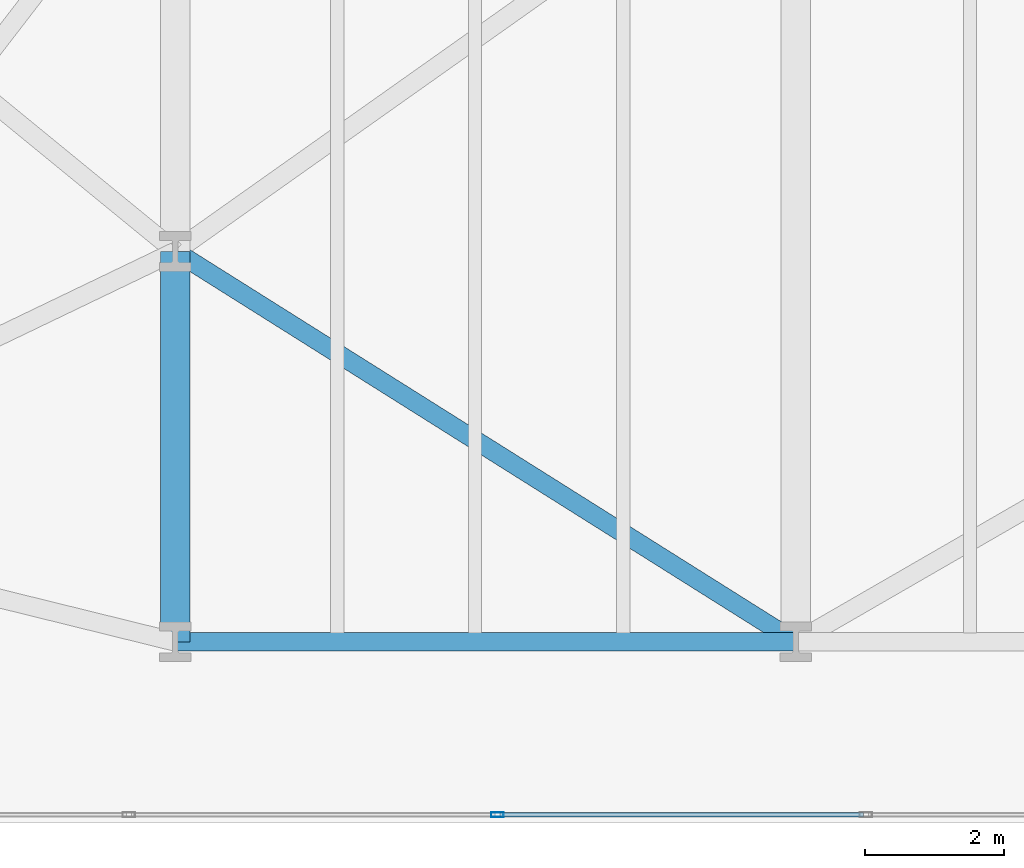
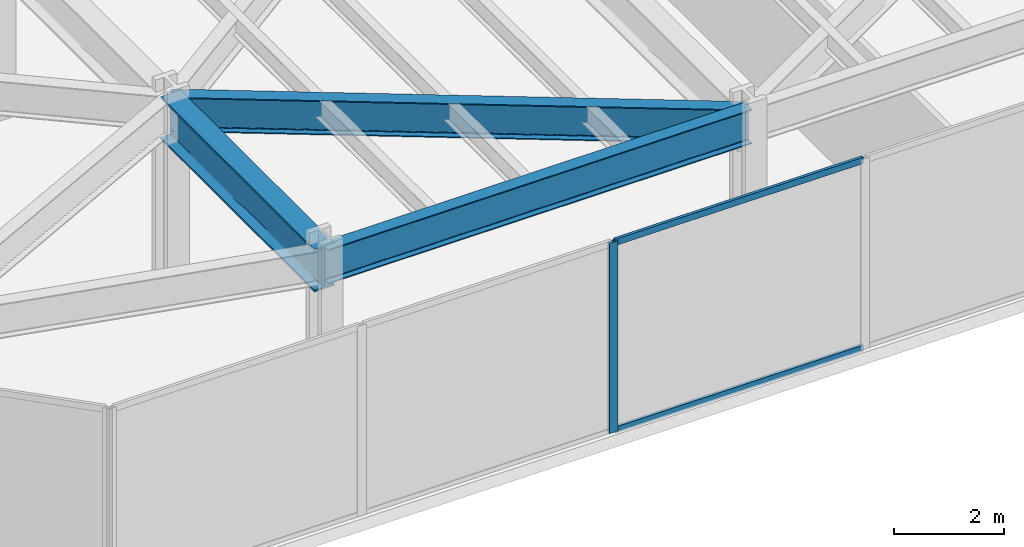
# One storey, part 3 of 28: 3 beams, 3 members, 1 element without a shape of its own.
"""IFC4 building model written with IfcOpenShell, lengths in metres."""

from ifc_helpers import new_model, si_unit, direction, frame, origin, origin_2d, place, context, subcontext, project, spatial, hollow_rectangle, i_section, extrude, material, layer, layer_set, material_profile, profile_set, type_object, element, aggregate, save


model = new_model("IFC4")

# Units and contexts
model_context = context("Model", 3, precision=1e-05, world=origin(), true_north=direction((0.0, 1.0)))
body_context = subcontext(model_context, "Body", "Model", "MODEL_VIEW")
ifc_project = project(units=[si_unit("LENGTHUNIT", "METRE"), si_unit("AREAUNIT", "SQUARE_METRE"), si_unit("VOLUMEUNIT", "CUBIC_METRE"), si_unit("PLANEANGLEUNIT", "RADIAN"), si_unit("MASSUNIT", "GRAM", prefix="KILO")], contexts=[model_context])

# Site, building, storey
site_placement = place(None, origin())
site = spatial("IfcSite", under=ifc_project, at=site_placement, CompositionType="ELEMENT")
building_placement = place(site_placement, origin())
building = spatial("IfcBuilding", under=site, at=building_placement, Name="Kravanh Interchange Tower", CompositionType="ELEMENT")
storey_placement = place(building_placement, frame((0.0, 0.0, 15.300048828125)))
storey = spatial("IfcBuildingStorey", under=building, at=storey_placement, Name="L03", CompositionType="ELEMENT", Elevation=15.300048828125)

# Curtain wall, members
ifc_material_1 = material(Name="Anodised Bronze Aluminium", Category="aluminium")
ifc_layer = layer(ifc_material_1, 0.179931640625)
ifc_layer_set = layer_set([ifc_layer], Name="Unitised Curtain Wall System CW-POD Podium Concourse")
curtain_wall_type = type_object("IfcCurtainWallType", Name="Unitised Curtain Wall System CW-POD Podium Concourse", PredefinedType="NOTDEFINED", material=ifc_layer_set)
curtain_wall_placement = place(storey_placement, origin())
curtain_wall = element("IfcCurtainWall", 1, at=curtain_wall_placement, inside=storey, type_object=curtain_wall_type, Name="L03 Unitised Curtain Wall CW-L03-04", PredefinedType="NOTDEFINED")
ifc_material_2 = material(Name="Anodised Bronze Aluminium", Category="aluminium")
ifc_material_profile_1 = material_profile(ifc_material_2, hollow_rectangle(XDim=0.070068359375, YDim=0.179931640625, WallThickness=0.00390625, at=origin_2d()), Name="ALU70X180X4")
ifc_profile_set_1 = profile_set([ifc_material_profile_1], Name="Anodised Bronze Aluminium")
member_type_1 = type_object("IfcMemberType", Name="Curtain Wall Mullion ALU70X180X4 Bronze", PredefinedType="MULLION", material=ifc_profile_set_1)
member_1_placement = place(storey_placement, frame((13.218994140625, 0.1201171875, 0.0), z_axis=(0.0, 0.0, 1.0), x_axis=(0.0, -1.0, 0.0)))
member_1 = element("IfcMember", 2, at=member_1_placement, type_object=member_type_1, Name="CW-POD mullion 12", PredefinedType="MULLION", context=body_context, shape_type="SweptSolid", body=[
    extrude(hollow_rectangle(XDim=0.070068359375, YDim=0.179931640625, WallThickness=0.00390625, at=origin_2d()), origin(), (0.0, 0.0, 1.0), 4.22998046875),
])
ifc_material_3 = material(Name="Anodised Bronze Aluminium", Category="aluminium")
ifc_material_profile_2 = material_profile(ifc_material_3, hollow_rectangle(XDim=0.06005859375, YDim=0.139892578125, WallThickness=0.00390625, at=origin_2d()), Name="ALU60X140X4")
ifc_profile_set_2 = profile_set([ifc_material_profile_2], Name="Anodised Bronze Aluminium")
member_type_2 = type_object("IfcMemberType", Name="Curtain Wall Transom ALU60X140X4 Bronze", PredefinedType="USERDEFINED", material=ifc_profile_set_2)
member_2_placement = place(storey_placement, frame((18.46875, 0.1201171875, 0.030029296875), z_axis=(-1.0, 0.0, 0.0), x_axis=(0.0, -1.0, 0.0)))
member_2 = element("IfcMember", 3, at=member_2_placement, type_object=member_type_2, Name="CW-POD transom 11.1", ObjectType="TRANSOM", PredefinedType="USERDEFINED", context=body_context, shape_type="SweptSolid", body=[
    extrude(hollow_rectangle(XDim=0.06005859375, YDim=0.139892578125, WallThickness=0.00390625, at=origin_2d()), origin(), (0.0, 0.0, 1.0), 5.21484375),
])
member_3_placement = place(storey_placement, frame((18.46875, 0.1201171875, 4.199951171875), z_axis=(-1.0, 0.0, 0.0), x_axis=(0.0, -1.0, 0.0)))
member_3 = element("IfcMember", 4, at=member_3_placement, type_object=member_type_2, Name="CW-POD transom 11.2", ObjectType="TRANSOM", PredefinedType="USERDEFINED", context=body_context, shape_type="SweptSolid", body=[
    extrude(hollow_rectangle(XDim=0.06005859375, YDim=0.139892578125, WallThickness=0.00390625, at=origin_2d()), origin(), (0.0, 0.0, 1.0), 5.21484375),
])
aggregate(curtain_wall, [member_1, member_2, member_3])

# Beams
ifc_material_4 = material(Name="Structural Steel S450", Category="steel")
ifc_material_profile_3 = material_profile(ifc_material_4, i_section(OverallWidth=0.423095703125, OverallDepth=0.947998046875, WebThickness=0.02392578125, FlangeThickness=0.042724609375, FilletRadius=0.028076171875, at=origin_2d()), Name="W36X302")
ifc_profile_set_3 = profile_set([ifc_material_profile_3], Name="Structural Steel S450")
beam_type_1 = type_object("IfcBeamType", Name="Floor Beam W36X302 Structural Steel S450", PredefinedType="BEAM", material=ifc_profile_set_3)
beam_1_placement = place(storey_placement, frame((8.60009765625, 2.60009765625, 3.755859375), z_axis=(0.0, 1.0, 0.0), x_axis=(-1.0, 0.0, 0.0)))
element("IfcBeam", 5, at=beam_1_placement, inside=storey, type_object=beam_type_1, Name="L03 Primary Floor Girder 1", PredefinedType="BEAM", context=body_context, shape_type="SweptSolid", body=[
    extrude(i_section(OverallWidth=0.423095703125, OverallDepth=0.947998046875, WebThickness=0.02392578125, FlangeThickness=0.042724609375, FilletRadius=0.028076171875, at=origin_2d()), origin(), (0.0, 0.0, 1.0), 5.599853515625),
])
ifc_material_5 = material(Name="Structural Steel S355", Category="steel")
ifc_material_profile_4 = material_profile(ifc_material_5, i_section(OverallWidth=0.26708984375, OverallDepth=0.761962890625, WebThickness=0.014404296875, FlangeThickness=0.021484375, FilletRadius=0.02490234375, at=origin_2d()), Name="W30X116")
ifc_profile_set_4 = profile_set([ifc_material_profile_4], Name="Structural Steel S355")
beam_type_2 = type_object("IfcBeamType", Name="Floor Spandrel W30X116 Structural Steel S355", PredefinedType="SPANDREL", material=ifc_profile_set_4)
beam_2_placement = place(storey_placement, frame((8.60009765625, 2.60009765625, 3.848876953125), z_axis=(1.0, 0.0, 0.0), x_axis=(0.0, 1.0, 0.0)))
element("IfcBeam", 6, at=beam_2_placement, inside=storey, type_object=beam_type_2, Name="L03 Perimeter Spandrel 3", PredefinedType="SPANDREL", context=body_context, shape_type="SweptSolid", body=[
    extrude(i_section(OverallWidth=0.26708984375, OverallDepth=0.761962890625, WebThickness=0.014404296875, FlangeThickness=0.021484375, FilletRadius=0.02490234375, at=origin_2d()), origin(), (0.0, 0.0, 1.0), 8.89990234375),
])
beam_3_placement = place(storey_placement, frame((17.5, 2.60009765625, 3.848876953125), z_axis=(-0.846395259538, 0.532555222143, 0.0), x_axis=(-0.532555222143, -0.846395259538, 0.0)))
element("IfcBeam", 7, at=beam_3_placement, inside=storey, type_object=beam_type_2, Name="L03 Perimeter Spandrel 5", PredefinedType="SPANDREL", context=body_context, shape_type="SweptSolid", body=[
    extrude(i_section(OverallWidth=0.26708984375, OverallDepth=0.761962890625, WebThickness=0.014404296875, FlangeThickness=0.021484375, FilletRadius=0.02490234375, at=origin_2d()), origin(), (0.0, 0.0, 1.0), 10.51513671875),
])

save(model, "model.ifc")
